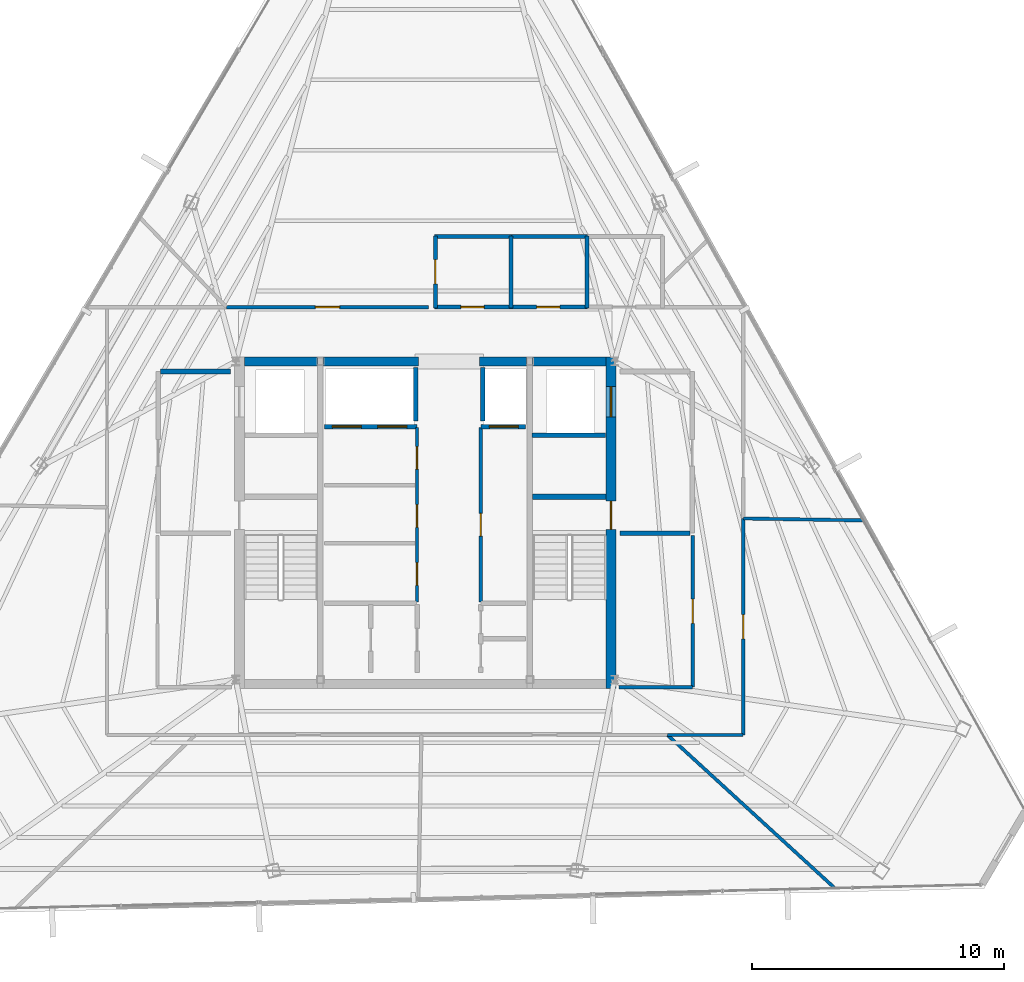
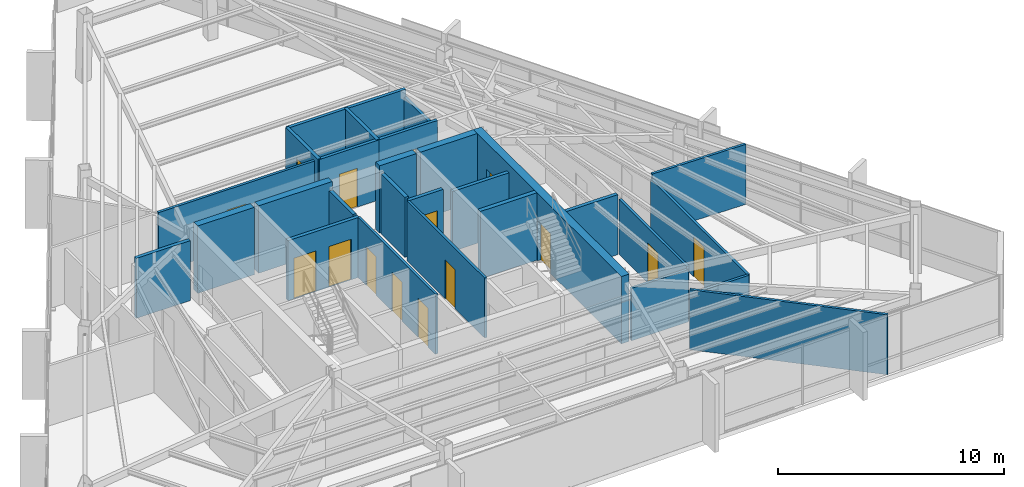
# One storey, part 41 of 44: 29 walls, 15 doors, 15 openings.
"""IFC4 building model written with IfcOpenShell, lengths in metres."""

from ifc_helpers import new_model, si_unit, direction, frame, frame_2d, origin, place, context, subcontext, project, spatial, rectangle, extrude, material, layer, layer_set, type_object, element, fill, save


model = new_model("IFC4")

# Units and contexts
model_context = context("Model", 3, precision=1e-05, world=origin(), true_north=direction((0.0, 1.0)))
body_context = subcontext(model_context, "Body", "Model", "MODEL_VIEW")
ifc_project = project(units=[si_unit("LENGTHUNIT", "METRE"), si_unit("AREAUNIT", "SQUARE_METRE"), si_unit("VOLUMEUNIT", "CUBIC_METRE"), si_unit("PLANEANGLEUNIT", "RADIAN"), si_unit("MASSUNIT", "GRAM", prefix="KILO")], contexts=[model_context])

# Site, building, storey
site_placement = place(None, origin())
site = spatial("IfcSite", under=ifc_project, at=site_placement, CompositionType="ELEMENT")
building_placement = place(site_placement, origin())
building = spatial("IfcBuilding", under=site, at=building_placement, Name="Caelisora Broadcast Tower", CompositionType="ELEMENT")
storey_placement = place(building_placement, frame((0.0, 0.0, 280.949951171875)))
storey = spatial("IfcBuildingStorey", under=building, at=storey_placement, Name="L74", CompositionType="ELEMENT", Elevation=280.949951171875)

# Wall, openings, doors
ifc_material_1 = material(Name="Concrete 40 MPa (AS 3600 N40)", Category="concrete")
ifc_layer_1 = layer(ifc_material_1, 0.39990234375, Name="Concrete 40 MPa (AS 3600 N40)")
ifc_layer_set_1 = layer_set([ifc_layer_1], Name="Concrete 40 MPa (AS 3600 N40)")
wall_type_1 = type_object("IfcWallType", Name="CW3", PredefinedType="SHEAR", material=ifc_layer_set_1)
wall_1_placement = place(storey_placement, frame((45.360107421875, 17.050048828125, 0.0), z_axis=(0.0, 0.0, 1.0), x_axis=(0.0, 1.0, 0.0)))
wall_1 = element("IfcWall", 1, at=wall_1_placement, inside=storey, type_object=wall_type_1, Name="L74 core shear wall CW3", PredefinedType="SHEAR", context=body_context, shape_type="SweptSolid", body=[
    extrude(rectangle(XDim=13.125, YDim=0.39990234375, at=frame_2d((6.5625, 0.0))), origin(), (0.0, 0.0, 1.0), 3.650146484375),
])
opening_1_placement = place(wall_1_placement, frame((6.300048828125, 0.0, 0.0)))
opening_1 = element("IfcOpeningElement", 2, at=opening_1_placement, cuts=wall_1, Name="Opening FD04", PredefinedType="OPENING", context=body_context, shape_type="SweptSolid", body=[
    extrude(rectangle(XDim=1.1201171875, YDim=2.14990234375, at=frame_2d((0.56005859375, 1.074951171875))), frame((0.0, 0.2119140625, 0.0), z_axis=(0.0, -1.0, 0.0), x_axis=(1.0, 0.0, 0.0)), (0.0, 0.0, 1.0), 0.423828125),
])
opening_2_placement = place(wall_1_placement, frame((10.75, 0.0, 0.0)))
opening_2 = element("IfcOpeningElement", 3, at=opening_2_placement, cuts=wall_1, Name="Opening LD04", PredefinedType="OPENING", context=body_context, shape_type="SweptSolid", body=[
    extrude(rectangle(XDim=1.199951171875, YDim=2.199951171875, at=frame_2d((0.60009765625, 1.10009765625))), frame((0.0, 0.2119140625, 0.0), z_axis=(0.0, -1.0, 0.0), x_axis=(1.0, 0.0, 0.0)), (0.0, 0.0, 1.0), 0.423828125),
])
ifc_material_2 = material(Name="Pressurised Fire-Isolated Stair Door", Category="steel")
door_type_1 = type_object("IfcDoorType", Name="FD04", OperationType="NOTDEFINED", PredefinedType="DOOR", material=ifc_material_2)
door_1_placement = place(opening_1_placement, origin())
door_1 = element("IfcDoor", 4, at=door_1_placement, inside=storey, type_object=door_type_1, Name="L74 door FD04 (L74-DR-ST2)", OperationType="SINGLE_SWING_RIGHT", OverallHeight=2.14990234375, OverallWidth=1.1201171875, PredefinedType="DOOR", context=body_context, shape_type="SweptSolid", body=[
    extrude(rectangle(XDim=1.1201171875, YDim=2.14990234375, at=frame_2d((0.56005859375, 1.074951171875))), frame((0.0, 0.02490234375, 0.0), z_axis=(0.0, -1.0, 0.0), x_axis=(1.0, 0.0, 0.0)), (0.0, 0.0, 1.0), 0.050048828125),
])
fill(opening_1, door_1)
ifc_material_3 = material(Name="Emergency Firefighting Lift Sliding Landing Door", Category="steel")
door_type_2 = type_object("IfcDoorType", Name="LD04", OperationType="NOTDEFINED", PredefinedType="DOOR", material=ifc_material_3)
door_2_placement = place(opening_2_placement, origin())
door_2 = element("IfcDoor", 5, at=door_2_placement, inside=storey, type_object=door_type_2, Name="L74 door LD04 (L74-LD-FFL2)", OperationType="SLIDING_TO_RIGHT", OverallHeight=2.199951171875, OverallWidth=1.199951171875, PredefinedType="DOOR", context=body_context, shape_type="SweptSolid", body=[
    extrude(rectangle(XDim=1.199951171875, YDim=2.199951171875, at=frame_2d((0.60009765625, 1.10009765625))), frame((0.0, 0.02490234375, 0.0), z_axis=(0.0, -1.0, 0.0), x_axis=(1.0, 0.0, 0.0)), (0.0, 0.0, 1.0), 0.050048828125),
])
fill(opening_2, door_2)

# Walls
ifc_layer_2 = layer(ifc_material_1, 0.35009765625, Name="Concrete 40 MPa (AS 3600 N40)")
ifc_layer_set_2 = layer_set([ifc_layer_2], Name="Concrete 40 MPa (AS 3600 N40)")
wall_type_2 = type_object("IfcWallType", Name="CW6", PredefinedType="SHEAR", material=ifc_layer_set_2)
wall_2_placement = place(storey_placement, frame((30.840087890625, 30.0, 0.0), z_axis=(0.0, 0.0, 1.0), x_axis=(1.0, 0.0, 0.0)))
element("IfcWall", 6, at=wall_2_placement, inside=storey, type_object=wall_type_2, Name="L74 core shear wall CW6", PredefinedType="SHEAR", context=body_context, shape_type="SweptSolid", body=[
    extrude(rectangle(XDim=2.89990234375, YDim=0.35009765625, at=frame_2d((1.449951171875, 0.0))), origin(), (0.0, 0.0, 1.0), 3.650146484375),
])
wall_3_placement = place(storey_placement, frame((33.9599609375, 30.0, 0.0), z_axis=(0.0, 0.0, 1.0), x_axis=(1.0, 0.0, 0.0)))
element("IfcWall", 7, at=wall_3_placement, inside=storey, type_object=wall_type_2, Name="L74 core shear wall CW6", PredefinedType="SHEAR", context=body_context, shape_type="SweptSolid", body=[
    extrude(rectangle(XDim=3.780029296875, YDim=0.35009765625, at=frame_2d((1.89013671875, 0.0))), origin(), (0.0, 0.0, 1.0), 3.650146484375),
])
wall_4_placement = place(storey_placement, frame((40.159912109375, 30.0, 0.0), z_axis=(0.0, 0.0, 1.0), x_axis=(1.0, 0.0, 0.0)))
element("IfcWall", 8, at=wall_4_placement, inside=storey, type_object=wall_type_2, Name="L74 core shear wall CW6", PredefinedType="SHEAR", context=body_context, shape_type="SweptSolid", body=[
    extrude(rectangle(XDim=1.880126953125, YDim=0.35009765625, at=frame_2d((0.93994140625, 0.0))), origin(), (0.0, 0.0, 1.0), 3.650146484375),
])
wall_5_placement = place(storey_placement, frame((42.260009765625, 30.0, 0.0), z_axis=(0.0, 0.0, 1.0), x_axis=(1.0, 0.0, 0.0)))
element("IfcWall", 9, at=wall_5_placement, inside=storey, type_object=wall_type_2, Name="L74 core shear wall CW6", PredefinedType="SHEAR", context=body_context, shape_type="SweptSolid", body=[
    extrude(rectangle(XDim=2.89990234375, YDim=0.35009765625, at=frame_2d((1.449951171875, 0.0))), origin(), (0.0, 0.0, 1.0), 3.650146484375),
])
ifc_material_4 = material(Name="Concrete 50 MPa (AS 3600 S50)", Category="concrete")
ifc_layer_3 = layer(ifc_material_4, 0.219970703125, Name="Concrete 50 MPa (AS 3600 S50)")
ifc_layer_set_3 = layer_set([ifc_layer_3], Name="Concrete 50 MPa (AS 3600 S50)")
wall_type_3 = type_object("IfcWallType", Name="CW7", PredefinedType="SHEAR", material=ifc_layer_set_3)
wall_6_placement = place(storey_placement, frame((42.260009765625, 24.639892578125, 0.0), z_axis=(0.0, 0.0, 1.0), x_axis=(1.0, 0.0, 0.0)))
element("IfcWall", 10, at=wall_6_placement, inside=storey, type_object=wall_type_3, Name="L74 core shear wall CW7", PredefinedType="SHEAR", context=body_context, shape_type="SweptSolid", body=[
    extrude(rectangle(XDim=2.89990234375, YDim=0.219970703125, at=frame_2d((1.449951171875, 0.0))), origin(), (0.0, 0.0, 1.0), 3.650146484375),
])

# Wall, openings, doors
ifc_material_5 = material(Name="Fire-Rated Gypsum Shaft and Compartment Wall", Category="gypsum")
ifc_layer_4 = layer(ifc_material_5, 0.179931640625, Name="Fire-Rated Gypsum Shaft and Compartment Wall")
ifc_layer_set_4 = layer_set([ifc_layer_4], Name="Fire-Rated Gypsum Shaft and Compartment Wall")
wall_type_4 = type_object("IfcWallType", Name="PW2", PredefinedType="PARTITIONING", material=ifc_layer_set_4)
wall_7_placement = place(storey_placement, frame((34.02001953125, 27.419921875, 0.0), z_axis=(0.0, 0.0, 1.0), x_axis=(1.0, 0.0, 0.0)))
wall_7 = element("IfcWall", 11, at=wall_7_placement, inside=storey, type_object=wall_type_4, Name="L74 fire compartment wall PW2", PredefinedType="PARTITIONING", context=body_context, shape_type="SweptSolid", body=[
    extrude(rectangle(XDim=3.659912109375, YDim=0.179931640625, at=frame_2d((1.830078125, 0.0))), origin(), (0.0, 0.0, 1.0), 3.25),
])
opening_3_placement = place(wall_7_placement, frame((0.300048828125, 0.0, 0.0)))
opening_3 = element("IfcOpeningElement", 12, at=opening_3_placement, cuts=wall_7, Name="Opening LD02", PredefinedType="OPENING", context=body_context, shape_type="SweptSolid", body=[
    extrude(rectangle(XDim=1.14990234375, YDim=2.199951171875, at=frame_2d((0.574951171875, 1.10009765625))), frame((0.0, 0.10205078125, 0.0), z_axis=(0.0, -1.0, 0.0), x_axis=(1.0, 0.0, 0.0)), (0.0, 0.0, 1.0), 0.203857421875),
])
opening_4_placement = place(wall_7_placement, frame((2.10009765625, 0.0, 0.0)))
opening_4 = element("IfcOpeningElement", 13, at=opening_4_placement, cuts=wall_7, Name="Opening LD02", PredefinedType="OPENING", context=body_context, shape_type="SweptSolid", body=[
    extrude(rectangle(XDim=1.14990234375, YDim=2.199951171875, at=frame_2d((0.574951171875, 1.10009765625))), frame((0.0, 0.10205078125, 0.0), z_axis=(0.0, -1.0, 0.0), x_axis=(1.0, 0.0, 0.0)), (0.0, 0.0, 1.0), 0.203857421875),
])
ifc_material_6 = material(Name="High-Speed Express Lift Sliding Landing Door", Category="steel")
door_type_3 = type_object("IfcDoorType", Name="LD02", OperationType="NOTDEFINED", PredefinedType="DOOR", material=ifc_material_6)
door_3_placement = place(opening_3_placement, origin())
door_3 = element("IfcDoor", 14, at=door_3_placement, inside=storey, type_object=door_type_3, Name="L74 door LD02 (L74-LD-PLH1)", OperationType="SLIDING_TO_RIGHT", OverallHeight=2.199951171875, OverallWidth=1.14990234375, PredefinedType="DOOR", context=body_context, shape_type="SweptSolid", body=[
    extrude(rectangle(XDim=1.14990234375, YDim=2.199951171875, at=frame_2d((0.574951171875, 1.10009765625))), frame((0.0, 0.02490234375, 0.0), z_axis=(0.0, -1.0, 0.0), x_axis=(1.0, 0.0, 0.0)), (0.0, 0.0, 1.0), 0.050048828125),
])
fill(opening_3, door_3)
door_4_placement = place(opening_4_placement, origin())
door_4 = element("IfcDoor", 15, at=door_4_placement, inside=storey, type_object=door_type_3, Name="L74 door LD02 (L74-LD-PLH2)", OperationType="SLIDING_TO_LEFT", OverallHeight=2.199951171875, OverallWidth=1.14990234375, PredefinedType="DOOR", context=body_context, shape_type="SweptSolid", body=[
    extrude(rectangle(XDim=1.14990234375, YDim=2.199951171875, at=frame_2d((0.574951171875, 1.10009765625))), frame((0.0, 0.02490234375, 0.0), z_axis=(0.0, -1.0, 0.0), x_axis=(1.0, 0.0, 0.0)), (0.0, 0.0, 1.0), 0.050048828125),
])
fill(opening_4, door_4)

# Wall, opening, door
wall_8_placement = place(storey_placement, frame((40.219970703125, 27.419921875, 0.0), z_axis=(0.0, 0.0, 1.0), x_axis=(1.0, 0.0, 0.0)))
wall_8 = element("IfcWall", 16, at=wall_8_placement, inside=storey, type_object=wall_type_4, Name="L74 fire compartment wall PW2", PredefinedType="PARTITIONING", context=body_context, shape_type="SweptSolid", body=[
    extrude(rectangle(XDim=1.760009765625, YDim=0.179931640625, at=frame_2d((0.8798828125, 0.0))), origin(), (0.0, 0.0, 1.0), 3.25),
])
opening_5_placement = place(wall_8_placement, frame((0.320068359375, 0.0, 0.0)))
opening_5 = element("IfcOpeningElement", 17, at=opening_5_placement, cuts=wall_8, Name="Opening LD02", PredefinedType="OPENING", context=body_context, shape_type="SweptSolid", body=[
    extrude(rectangle(XDim=1.14990234375, YDim=2.199951171875, at=frame_2d((0.574951171875, 1.10009765625))), frame((0.0, 0.10205078125, 0.0), z_axis=(0.0, -1.0, 0.0), x_axis=(1.0, 0.0, 0.0)), (0.0, 0.0, 1.0), 0.203857421875),
])
door_5_placement = place(opening_5_placement, origin())
door_5 = element("IfcDoor", 18, at=door_5_placement, inside=storey, type_object=door_type_3, Name="L74 door LD02 (L74-LD-PLH3)", OperationType="SLIDING_TO_RIGHT", OverallHeight=2.199951171875, OverallWidth=1.14990234375, PredefinedType="DOOR", context=body_context, shape_type="SweptSolid", body=[
    extrude(rectangle(XDim=1.14990234375, YDim=2.199951171875, at=frame_2d((0.574951171875, 1.10009765625))), frame((0.0, 0.02490234375, 0.0), z_axis=(0.0, -1.0, 0.0), x_axis=(1.0, 0.0, 0.0)), (0.0, 0.0, 1.0), 0.050048828125),
])
fill(opening_5, door_5)

# Walls
for number, where, z_axis, x_axis, name in (
    (19, (37.6201171875, 27.639892578125, 0.0), (0.0, 0.0, 1.0), (0.0, 1.0, 0.0), "L74 fire compartment wall PW2"),
    (20, (40.280029296875, 27.639892578125, 0.0), (0.0, 0.0, 1.0), (0.0, 1.0, 0.0), "L74 fire compartment wall PW2"),
):
    element("IfcWall", number, at=place(storey_placement, frame(where, z_axis=z_axis, x_axis=x_axis)), inside=storey, type_object=wall_type_4, Name=name, PredefinedType="PARTITIONING", context=body_context, shape_type="SweptSolid", body=[
        extrude(rectangle(XDim=2.110107421875, YDim=0.179931640625, at=frame_2d((1.05517578125, 0.0))), origin(), (0.0, 0.0, 1.0), 3.25),
    ])
for number, where, z_axis, x_axis, name in (
    (21, (27.52001953125, 29.60009765625, 0.0), (0.0, 0.0, 1.0), (1.0, 0.0, 0.0), "L74 fire compartment wall PW2"),
    (22, (45.719970703125, 23.199951171875, 0.0), (0.0, 0.0, 1.0), (1.0, 0.0, 0.0), "L74 fire compartment wall PW2"),
):
    element("IfcWall", number, at=place(storey_placement, frame(where, z_axis=z_axis, x_axis=x_axis)), inside=storey, type_object=wall_type_4, Name=name, PredefinedType="PARTITIONING", context=body_context, shape_type="SweptSolid", body=[
        extrude(rectangle(XDim=2.760009765625, YDim=0.179931640625, at=frame_2d((1.3798828125, 0.0))), origin(), (0.0, 0.0, 1.0), 3.25),
    ])
wall_9_placement = place(storey_placement, frame((42.239990234375, 27.070068359375, 0.0), z_axis=(0.0, 0.0, 1.0), x_axis=(1.0, 0.0, 0.0)))
element("IfcWall", 23, at=wall_9_placement, inside=storey, type_object=wall_type_4, Name="L74 fire compartment wall PW2", PredefinedType="PARTITIONING", context=body_context, shape_type="SweptSolid", body=[
    extrude(rectangle(XDim=2.89990234375, YDim=0.179931640625, at=frame_2d((1.449951171875, 0.0))), origin(), (0.0, 0.0, 1.0), 3.25),
])

# Wall, openings, doors
ifc_material_7 = material(Name="Acoustic Steel-Stud Plasterboard Partition", Category="gypsum")
ifc_layer_5 = layer(ifc_material_7, 0.1298828125, Name="Acoustic Steel-Stud Plasterboard Partition")
ifc_layer_set_5 = layer_set([ifc_layer_5], Name="Acoustic Steel-Stud Plasterboard Partition")
wall_type_5 = type_object("IfcWallType", Name="PW3", PredefinedType="PARTITIONING", material=ifc_layer_set_5)
wall_10_placement = place(storey_placement, frame((37.679931640625, 20.47998046875, 0.0), z_axis=(0.0, 0.0, 1.0), x_axis=(0.0, 1.0, 0.0)))
wall_10 = element("IfcWall", 24, at=wall_10_placement, inside=storey, type_object=wall_type_5, Name="L74 internal partition PW3", PredefinedType="PARTITIONING", context=body_context, shape_type="SweptSolid", body=[
    extrude(rectangle(XDim=6.89990234375, YDim=0.1298828125, at=frame_2d((3.449951171875, 0.0))), origin(), (0.0, 0.0, 1.0), 3.25),
])
opening_6_placement = place(wall_10_placement, frame((0.64990234375, 0.0, 0.0)))
opening_6 = element("IfcOpeningElement", 25, at=opening_6_placement, cuts=wall_10, Name="Opening FD03", PredefinedType="OPENING", context=body_context, shape_type="SweptSolid", body=[
    extrude(rectangle(XDim=0.89990234375, YDim=2.10009765625, at=frame_2d((0.449951171875, 1.050048828125))), frame((0.0, 0.076904296875, 0.0), z_axis=(0.0, -1.0, 0.0), x_axis=(1.0, 0.0, 0.0)), (0.0, 0.0, 1.0), 0.15380859375),
])
opening_7_placement = place(wall_10_placement, frame((2.949951171875, 0.0, 0.0)))
opening_7 = element("IfcOpeningElement", 26, at=opening_7_placement, cuts=wall_10, Name="Opening FD03", PredefinedType="OPENING", context=body_context, shape_type="SweptSolid", body=[
    extrude(rectangle(XDim=0.89990234375, YDim=2.10009765625, at=frame_2d((0.449951171875, 1.050048828125))), frame((0.0, 0.076904296875, 0.0), z_axis=(0.0, -1.0, 0.0), x_axis=(1.0, 0.0, 0.0)), (0.0, 0.0, 1.0), 0.15380859375),
])
opening_8_placement = place(wall_10_placement, frame((5.25, 0.0, 0.0)))
opening_8 = element("IfcOpeningElement", 27, at=opening_8_placement, cuts=wall_10, Name="Opening FD03", PredefinedType="OPENING", context=body_context, shape_type="SweptSolid", body=[
    extrude(rectangle(XDim=0.89990234375, YDim=2.10009765625, at=frame_2d((0.449951171875, 1.050048828125))), frame((0.0, 0.076904296875, 0.0), z_axis=(0.0, -1.0, 0.0), x_axis=(1.0, 0.0, 0.0)), (0.0, 0.0, 1.0), 0.15380859375),
])
ifc_material_8 = material(Name="Single-Leaf Steel Riser Fire Access Door", Category="steel")
door_type_4 = type_object("IfcDoorType", Name="FD03", OperationType="NOTDEFINED", PredefinedType="DOOR", material=ifc_material_8)
door_6_placement = place(opening_6_placement, origin())
door_6 = element("IfcDoor", 28, at=door_6_placement, inside=storey, type_object=door_type_4, Name="L74 door FD03 (L74-DR-P13D1)", OperationType="SINGLE_SWING_LEFT", OverallHeight=2.10009765625, OverallWidth=0.89990234375, PredefinedType="DOOR", context=body_context, shape_type="SweptSolid", body=[
    extrude(rectangle(XDim=0.89990234375, YDim=2.10009765625, at=frame_2d((0.449951171875, 1.050048828125))), frame((0.0, 0.02490234375, 0.0), z_axis=(0.0, -1.0, 0.0), x_axis=(1.0, 0.0, 0.0)), (0.0, 0.0, 1.0), 0.050048828125),
])
fill(opening_6, door_6)
door_7_placement = place(opening_7_placement, origin())
door_7 = element("IfcDoor", 29, at=door_7_placement, inside=storey, type_object=door_type_4, Name="L74 door FD03 (L74-DR-P13D2)", OperationType="SINGLE_SWING_RIGHT", OverallHeight=2.10009765625, OverallWidth=0.89990234375, PredefinedType="DOOR", context=body_context, shape_type="SweptSolid", body=[
    extrude(rectangle(XDim=0.89990234375, YDim=2.10009765625, at=frame_2d((0.449951171875, 1.050048828125))), frame((0.0, 0.02490234375, 0.0), z_axis=(0.0, -1.0, 0.0), x_axis=(1.0, 0.0, 0.0)), (0.0, 0.0, 1.0), 0.050048828125),
])
fill(opening_7, door_7)
door_8_placement = place(opening_8_placement, origin())
door_8 = element("IfcDoor", 30, at=door_8_placement, inside=storey, type_object=door_type_4, Name="L74 door FD03 (L74-DR-P13D3)", OperationType="SINGLE_SWING_LEFT", OverallHeight=2.10009765625, OverallWidth=0.89990234375, PredefinedType="DOOR", context=body_context, shape_type="SweptSolid", body=[
    extrude(rectangle(XDim=0.89990234375, YDim=2.10009765625, at=frame_2d((0.449951171875, 1.050048828125))), frame((0.0, 0.02490234375, 0.0), z_axis=(0.0, -1.0, 0.0), x_axis=(1.0, 0.0, 0.0)), (0.0, 0.0, 1.0), 0.050048828125),
])
fill(opening_8, door_8)

# Wall, opening, door
wall_11_placement = place(storey_placement, frame((40.199951171875, 20.47998046875, 0.0), z_axis=(0.0, 0.0, 1.0), x_axis=(0.0, 1.0, 0.0)))
wall_11 = element("IfcWall", 31, at=wall_11_placement, inside=storey, type_object=wall_type_5, Name="L74 internal partition PW3", PredefinedType="PARTITIONING", context=body_context, shape_type="SweptSolid", body=[
    extrude(rectangle(XDim=6.89990234375, YDim=0.1298828125, at=frame_2d((3.449951171875, 0.0))), origin(), (0.0, 0.0, 1.0), 3.25),
])
opening_9_placement = place(wall_11_placement, frame((2.60009765625, 0.0, 0.0)))
opening_9 = element("IfcOpeningElement", 32, at=opening_9_placement, cuts=wall_11, Name="Opening FD03", PredefinedType="OPENING", context=body_context, shape_type="SweptSolid", body=[
    extrude(rectangle(XDim=0.89990234375, YDim=2.10009765625, at=frame_2d((0.449951171875, 1.050048828125))), frame((0.0, 0.076904296875, 0.0), z_axis=(0.0, -1.0, 0.0), x_axis=(1.0, 0.0, 0.0)), (0.0, 0.0, 1.0), 0.15380859375),
])
door_9_placement = place(opening_9_placement, origin())
door_9 = element("IfcDoor", 33, at=door_9_placement, inside=storey, type_object=door_type_4, Name="L74 door FD03 (L74-DR-P14D1)", OperationType="SINGLE_SWING_RIGHT", OverallHeight=2.10009765625, OverallWidth=0.89990234375, PredefinedType="DOOR", context=body_context, shape_type="SweptSolid", body=[
    extrude(rectangle(XDim=0.89990234375, YDim=2.10009765625, at=frame_2d((0.449951171875, 1.050048828125))), frame((0.0, 0.02490234375, 0.0), z_axis=(0.0, -1.0, 0.0), x_axis=(1.0, 0.0, 0.0)), (0.0, 0.0, 1.0), 0.050048828125),
])
fill(opening_9, door_9)

# Wall
wall_12_placement = place(storey_placement, frame((47.60400390625, 15.197021484375, 0.0), z_axis=(0.0, 0.0, 1.0), x_axis=(0.737617415851, -0.67521888883, 0.0)))
element("IfcWall", 34, at=wall_12_placement, inside=storey, type_object=wall_type_5, Name="L74 internal partition PW3", PredefinedType="PARTITIONING", context=body_context, shape_type="SweptSolid", body=[
    extrude(rectangle(XDim=8.9873046875, YDim=0.1298828125, at=frame_2d((4.49365234375, 0.0))), origin(), (0.0, 0.0, 1.0), 3.25),
])

# Wall, opening, door
wall_13_placement = place(storey_placement, frame((50.60009765625, 15.205078125, 0.0), z_axis=(0.0, 0.0, 1.0), x_axis=(0.0, 1.0, 0.0)))
wall_13 = element("IfcWall", 35, at=wall_13_placement, inside=storey, type_object=wall_type_5, Name="L74 internal partition PW3", PredefinedType="PARTITIONING", context=body_context, shape_type="SweptSolid", body=[
    extrude(rectangle(XDim=8.56982421875, YDim=0.1298828125, at=frame_2d((4.284912109375, 0.0))), origin(), (0.0, 0.0, 1.0), 2.978759765625),
])
opening_10_placement = place(wall_13_placement, frame((3.804931640625, 0.0, 0.0)))
opening_10 = element("IfcOpeningElement", 36, at=opening_10_placement, cuts=wall_13, Name="Opening D01", PredefinedType="OPENING", context=body_context, shape_type="SweptSolid", body=[
    extrude(rectangle(XDim=0.9599609375, YDim=2.14990234375, at=frame_2d((0.47998046875, 1.074951171875))), frame((0.0, 0.076904296875, 0.0), z_axis=(0.0, -1.0, 0.0), x_axis=(1.0, 0.0, 0.0)), (0.0, 0.0, 1.0), 0.15380859375),
])
ifc_material_9 = material(Name="Solid-Core Timber Acoustic Office Door", Category="wood")
door_type_5 = type_object("IfcDoorType", Name="D01", OperationType="NOTDEFINED", PredefinedType="DOOR", material=ifc_material_9)
door_10_placement = place(opening_10_placement, origin())
door_10 = element("IfcDoor", 37, at=door_10_placement, inside=storey, type_object=door_type_5, Name="L74 door D01 (L74-DR-P37D1)", OperationType="SINGLE_SWING_LEFT", OverallHeight=2.14990234375, OverallWidth=0.9599609375, PredefinedType="DOOR", context=body_context, shape_type="SweptSolid", body=[
    extrude(rectangle(XDim=0.9599609375, YDim=2.14990234375, at=frame_2d((0.47998046875, 1.074951171875))), frame((0.0, 0.02490234375, 0.0), z_axis=(0.0, -1.0, 0.0), x_axis=(1.0, 0.0, 0.0)), (0.0, 0.0, 1.0), 0.050048828125),
])
fill(opening_10, door_10)

wall_14_placement = place(storey_placement, frame((30.135009765625, 32.14990234375, 0.0), z_axis=(0.0, 0.0, 1.0), x_axis=(1.0, 0.0, 0.0)))
wall_14 = element("IfcWall", 38, at=wall_14_placement, inside=storey, type_object=wall_type_5, Name="L74 internal partition PW3", PredefinedType="PARTITIONING", context=body_context, shape_type="SweptSolid", body=[
    extrude(rectangle(XDim=8.0, YDim=0.1298828125, at=frame_2d((4.0, 0.0))), origin(), (0.0, 0.0, 1.0), 3.25),
])
opening_11_placement = place(wall_14_placement, frame((3.52001953125, 0.0, 0.0)))
opening_11 = element("IfcOpeningElement", 39, at=opening_11_placement, cuts=wall_14, Name="Opening D01", PredefinedType="OPENING", context=body_context, shape_type="SweptSolid", body=[
    extrude(rectangle(XDim=0.9599609375, YDim=2.14990234375, at=frame_2d((0.47998046875, 1.074951171875))), frame((0.0, 0.076904296875, 0.0), z_axis=(0.0, -1.0, 0.0), x_axis=(1.0, 0.0, 0.0)), (0.0, 0.0, 1.0), 0.15380859375),
])
door_11_placement = place(opening_11_placement, origin())
door_11 = element("IfcDoor", 40, at=door_11_placement, inside=storey, type_object=door_type_5, Name="L74 door D01 (L74-DR-P40D1)", OperationType="SINGLE_SWING_LEFT", OverallHeight=2.14990234375, OverallWidth=0.9599609375, PredefinedType="DOOR", context=body_context, shape_type="SweptSolid", body=[
    extrude(rectangle(XDim=0.9599609375, YDim=2.14990234375, at=frame_2d((0.47998046875, 1.074951171875))), frame((0.0, 0.02490234375, 0.0), z_axis=(0.0, -1.0, 0.0), x_axis=(1.0, 0.0, 0.0)), (0.0, 0.0, 1.0), 0.050048828125),
])
fill(opening_11, door_11)

wall_15_placement = place(storey_placement, frame((48.60009765625, 17.10498046875, 0.0), z_axis=(0.0, 0.0, 1.0), x_axis=(0.0, 1.0, 0.0)))
wall_15 = element("IfcWall", 41, at=wall_15_placement, inside=storey, type_object=wall_type_5, Name="L74 internal partition PW3", PredefinedType="PARTITIONING", context=body_context, shape_type="SweptSolid", body=[
    extrude(rectangle(XDim=6.0, YDim=0.1298828125, at=frame_2d((3.0, 0.0))), origin(), (0.0, 0.0, 1.0), 2.978759765625),
])
opening_12_placement = place(wall_15_placement, frame((2.52001953125, 0.0, 0.0)))
opening_12 = element("IfcOpeningElement", 42, at=opening_12_placement, cuts=wall_15, Name="Opening D01", PredefinedType="OPENING", context=body_context, shape_type="SweptSolid", body=[
    extrude(rectangle(XDim=0.9599609375, YDim=2.14990234375, at=frame_2d((0.47998046875, 1.074951171875))), frame((0.0, 0.076904296875, 0.0), z_axis=(0.0, -1.0, 0.0), x_axis=(1.0, 0.0, 0.0)), (0.0, 0.0, 1.0), 0.15380859375),
])
door_12_placement = place(opening_12_placement, origin())
door_12 = element("IfcDoor", 43, at=door_12_placement, inside=storey, type_object=door_type_5, Name="L74 door D01 (L74-DR-P44D1)", OperationType="SINGLE_SWING_RIGHT", OverallHeight=2.14990234375, OverallWidth=0.9599609375, PredefinedType="DOOR", context=body_context, shape_type="SweptSolid", body=[
    extrude(rectangle(XDim=0.9599609375, YDim=2.14990234375, at=frame_2d((0.47998046875, 1.074951171875))), frame((0.0, 0.02490234375, 0.0), z_axis=(0.0, -1.0, 0.0), x_axis=(1.0, 0.0, 0.0)), (0.0, 0.0, 1.0), 0.050048828125),
])
fill(opening_12, door_12)

# Walls
wall_16_placement = place(storey_placement, frame((50.60498046875, 23.780029296875, 0.0), z_axis=(0.0, 0.0, 1.0), x_axis=(0.999864811157, -0.016442609567, 0.0)))
element("IfcWall", 44, at=wall_16_placement, inside=storey, type_object=wall_type_5, Name="L74 internal partition PW3", PredefinedType="PARTITIONING", context=body_context, shape_type="SweptSolid", body=[
    extrude(rectangle(XDim=4.75146484375, YDim=0.1298828125, at=frame_2d((2.375732421875, 0.0))), origin(), (0.0, 0.0, 1.0), 3.25),
])
wall_17_placement = place(storey_placement, frame((47.60498046875, 15.199951171875, 0.0), z_axis=(0.0, 0.0, 1.0), x_axis=(1.0, 0.0, 0.0)))
element("IfcWall", 45, at=wall_17_placement, inside=storey, type_object=wall_type_5, Name="L74 internal partition PW3", PredefinedType="PARTITIONING", context=body_context, shape_type="SweptSolid", body=[
    extrude(rectangle(XDim=2.989990234375, YDim=0.1298828125, at=frame_2d((1.4951171875, 0.0))), origin(), (0.0, 0.0, 1.0), 2.978759765625),
])
wall_18_placement = place(storey_placement, frame((45.675048828125, 17.10009765625, 0.0), z_axis=(0.0, 0.0, 1.0), x_axis=(1.0, 0.0, 0.0)))
element("IfcWall", 46, at=wall_18_placement, inside=storey, type_object=wall_type_5, Name="L74 internal partition PW3", PredefinedType="PARTITIONING", context=body_context, shape_type="SweptSolid", body=[
    extrude(rectangle(XDim=2.919921875, YDim=0.1298828125, at=frame_2d((1.4599609375, 0.0))), origin(), (0.0, 0.0, 1.0), 2.8349609375),
])

# Wall, opening, door
ifc_material_10 = material(Name="Moisture-Resistant Wet Plumbing Service Wall", Category="gypsum")
ifc_layer_6 = layer(ifc_material_10, 0.159912109375, Name="Moisture-Resistant Wet Plumbing Service Wall")
ifc_layer_set_6 = layer_set([ifc_layer_6], Name="Moisture-Resistant Wet Plumbing Service Wall")
wall_type_6 = type_object("IfcWallType", Name="PW4", PredefinedType="PLUMBINGWALL", material=ifc_layer_set_6)
wall_19_placement = place(storey_placement, frame((38.375, 32.14990234375, 0.0), z_axis=(0.0, 0.0, 1.0), x_axis=(1.0, 0.0, 0.0)))
wall_19 = element("IfcWall", 47, at=wall_19_placement, inside=storey, type_object=wall_type_6, Name="L74 wet plumbing wall PW4", PredefinedType="PLUMBINGWALL", context=body_context, shape_type="SweptSolid", body=[
    extrude(rectangle(XDim=3.050048828125, YDim=0.159912109375, at=frame_2d((1.52490234375, 0.0))), origin(), (0.0, 0.0, 1.0), 3.25),
])
opening_13_placement = place(wall_19_placement, frame((1.034912109375, 0.0, 0.0)))
opening_13 = element("IfcOpeningElement", 48, at=opening_13_placement, cuts=wall_19, Name="Opening D03", PredefinedType="OPENING", context=body_context, shape_type="SweptSolid", body=[
    extrude(rectangle(XDim=0.919921875, YDim=2.10009765625, at=frame_2d((0.4599609375, 1.050048828125))), frame((0.0, 0.092041015625, 0.0), z_axis=(0.0, -1.0, 0.0), x_axis=(1.0, 0.0, 0.0)), (0.0, 0.0, 1.0), 0.183837890625),
])
ifc_material_11 = material(Name="Laminate Moisture-Resistant Amenity WC Door", Category="wood")
door_type_6 = type_object("IfcDoorType", Name="D03", OperationType="NOTDEFINED", PredefinedType="DOOR", material=ifc_material_11)
door_13_placement = place(opening_13_placement, origin())
door_13 = element("IfcDoor", 49, at=door_13_placement, inside=storey, type_object=door_type_6, Name="L74 door D03 (L74-DR-P19D1)", OperationType="SINGLE_SWING_LEFT", OverallHeight=2.10009765625, OverallWidth=0.919921875, PredefinedType="DOOR", context=body_context, shape_type="SweptSolid", body=[
    extrude(rectangle(XDim=0.919921875, YDim=2.10009765625, at=frame_2d((0.4599609375, 1.050048828125))), frame((0.0, 0.02490234375, 0.0), z_axis=(0.0, -1.0, 0.0), x_axis=(1.0, 0.0, 0.0)), (0.0, 0.0, 1.0), 0.050048828125),
])
fill(opening_13, door_13)

wall_20_placement = place(storey_placement, frame((41.375, 32.14990234375, 0.0), z_axis=(0.0, 0.0, 1.0), x_axis=(1.0, 0.0, 0.0)))
wall_20 = element("IfcWall", 50, at=wall_20_placement, inside=storey, type_object=wall_type_6, Name="L74 wet plumbing wall PW4", PredefinedType="PLUMBINGWALL", context=body_context, shape_type="SweptSolid", body=[
    extrude(rectangle(XDim=3.050048828125, YDim=0.159912109375, at=frame_2d((1.52490234375, 0.0))), origin(), (0.0, 0.0, 1.0), 3.25),
])
opening_14_placement = place(wall_20_placement, frame((1.034912109375, 0.0, 0.0)))
opening_14 = element("IfcOpeningElement", 51, at=opening_14_placement, cuts=wall_20, Name="Opening D03", PredefinedType="OPENING", context=body_context, shape_type="SweptSolid", body=[
    extrude(rectangle(XDim=0.919921875, YDim=2.10009765625, at=frame_2d((0.4599609375, 1.050048828125))), frame((0.0, 0.092041015625, 0.0), z_axis=(0.0, -1.0, 0.0), x_axis=(1.0, 0.0, 0.0)), (0.0, 0.0, 1.0), 0.183837890625),
])
door_14_placement = place(opening_14_placement, origin())
door_14 = element("IfcDoor", 52, at=door_14_placement, inside=storey, type_object=door_type_6, Name="L74 door D03 (L74-DR-P20D1)", OperationType="SINGLE_SWING_RIGHT", OverallHeight=2.10009765625, OverallWidth=0.919921875, PredefinedType="DOOR", context=body_context, shape_type="SweptSolid", body=[
    extrude(rectangle(XDim=0.919921875, YDim=2.10009765625, at=frame_2d((0.4599609375, 1.050048828125))), frame((0.0, 0.02490234375, 0.0), z_axis=(0.0, -1.0, 0.0), x_axis=(1.0, 0.0, 0.0)), (0.0, 0.0, 1.0), 0.050048828125),
])
fill(opening_14, door_14)

# Walls
for number, where, z_axis, x_axis, name in (
    (53, (38.375, 34.949951171875, 0.0), (0.0, 0.0, 1.0), (1.0, 0.0, 0.0), "L74 wet plumbing wall PW4"),
    (54, (41.375, 34.949951171875, 0.0), (0.0, 0.0, 1.0), (1.0, 0.0, 0.0), "L74 wet plumbing wall PW4"),
):
    element("IfcWall", number, at=place(storey_placement, frame(where, z_axis=z_axis, x_axis=x_axis)), inside=storey, type_object=wall_type_6, Name=name, PredefinedType="PLUMBINGWALL", context=body_context, shape_type="SweptSolid", body=[
        extrude(rectangle(XDim=3.050048828125, YDim=0.159912109375, at=frame_2d((1.52490234375, 0.0))), origin(), (0.0, 0.0, 1.0), 3.25),
    ])
wall_21_placement = place(storey_placement, frame((41.39990234375, 32.125, 0.0), z_axis=(0.0, 0.0, 1.0), x_axis=(0.0, 1.0, 0.0)))
element("IfcWall", 55, at=wall_21_placement, inside=storey, type_object=wall_type_6, Name="L74 wet plumbing wall PW4", PredefinedType="PLUMBINGWALL", context=body_context, shape_type="SweptSolid", body=[
    extrude(rectangle(XDim=2.85009765625, YDim=0.159912109375, at=frame_2d((1.425048828125, 0.0))), origin(), (0.0, 0.0, 1.0), 3.25),
])

# Wall, opening, door
wall_22_placement = place(storey_placement, frame((38.39990234375, 32.125, 0.0), z_axis=(0.0, 0.0, 1.0), x_axis=(0.0, 1.0, 0.0)))
wall_22 = element("IfcWall", 56, at=wall_22_placement, inside=storey, type_object=wall_type_6, Name="L74 wet plumbing wall PW4", PredefinedType="PLUMBINGWALL", context=body_context, shape_type="SweptSolid", body=[
    extrude(rectangle(XDim=2.85009765625, YDim=0.159912109375, at=frame_2d((1.425048828125, 0.0))), origin(), (0.0, 0.0, 1.0), 3.25),
])
opening_15_placement = place(wall_22_placement, frame((0.945068359375, 0.0, 0.0)))
opening_15 = element("IfcOpeningElement", 57, at=opening_15_placement, cuts=wall_22, Name="Opening D01", PredefinedType="OPENING", context=body_context, shape_type="SweptSolid", body=[
    extrude(rectangle(XDim=0.9599609375, YDim=2.14990234375, at=frame_2d((0.47998046875, 1.074951171875))), frame((0.0, 0.092041015625, 0.0), z_axis=(0.0, -1.0, 0.0), x_axis=(1.0, 0.0, 0.0)), (0.0, 0.0, 1.0), 0.183837890625),
])
door_15_placement = place(opening_15_placement, origin())
door_15 = element("IfcDoor", 58, at=door_15_placement, inside=storey, type_object=door_type_5, Name="L74 door D01 (L74-DR-RSC01)", OperationType="SINGLE_SWING_LEFT", OverallHeight=2.14990234375, OverallWidth=0.9599609375, PredefinedType="DOOR", context=body_context, shape_type="SweptSolid", body=[
    extrude(rectangle(XDim=0.9599609375, YDim=2.14990234375, at=frame_2d((0.47998046875, 1.074951171875))), frame((0.0, 0.02490234375, 0.0), z_axis=(0.0, -1.0, 0.0), x_axis=(1.0, 0.0, 0.0)), (0.0, 0.0, 1.0), 0.050048828125),
])
fill(opening_15, door_15)

# Wall
wall_23_placement = place(storey_placement, frame((44.39990234375, 32.125, 0.0), z_axis=(0.0, 0.0, 1.0), x_axis=(0.0, 1.0, 0.0)))
element("IfcWall", 59, at=wall_23_placement, inside=storey, type_object=wall_type_6, Name="L74 wet plumbing wall PW4", PredefinedType="PLUMBINGWALL", context=body_context, shape_type="SweptSolid", body=[
    extrude(rectangle(XDim=2.85009765625, YDim=0.159912109375, at=frame_2d((1.425048828125, 0.0))), origin(), (0.0, 0.0, 1.0), 2.8349609375),
])

save(model, "model.ifc")
